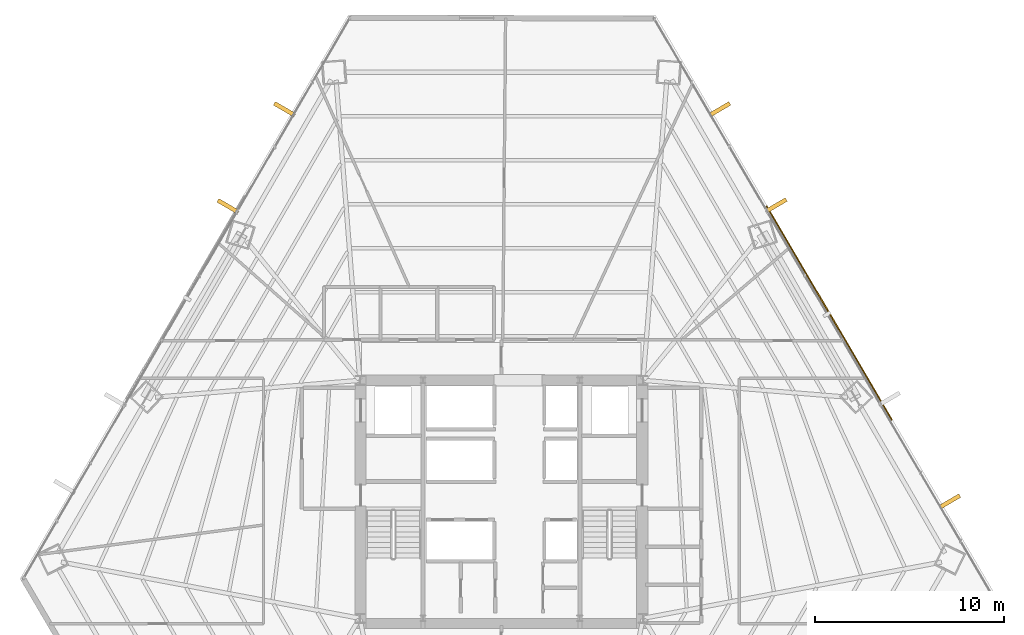
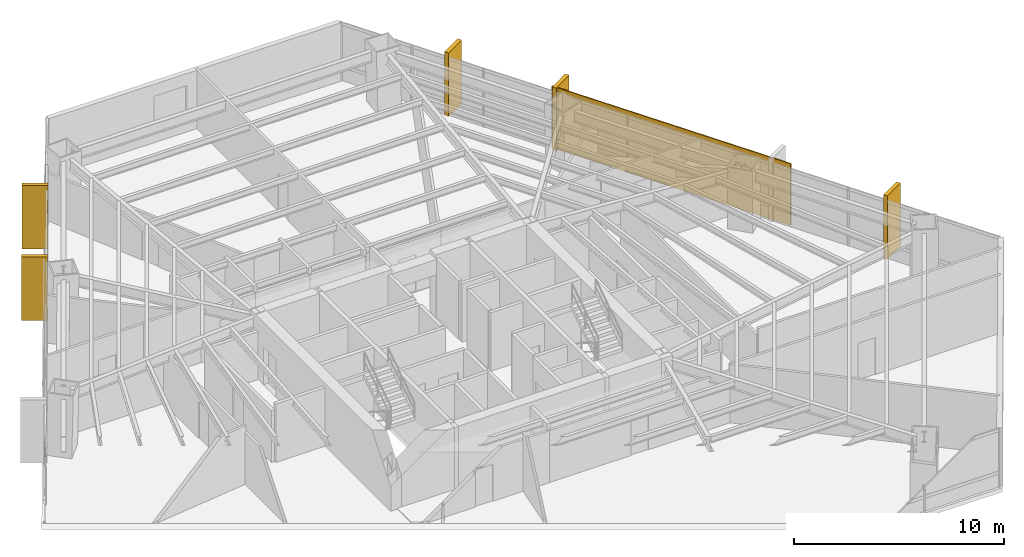
# One storey, part 37 of 37: 5 coverings, 1 shading device.
"""IFC4 building model written with IfcOpenShell, lengths in metres."""

import ifcopenshell
import ifcopenshell.guid

model = None  # the IFC model being written
_history = None  # IfcOwnerHistory: only IFC2X3 demands one
_inside = {}  # id of a spatial element -> (the spatial element, [elements in it])
_under = {}  # id of a project, library or spatial element -> (it, [spatial elements below it])
_declared = {}  # id of a project -> (the project, [libraries it declares])
_typed = {}  # id of a type object -> (the type object, [elements of that type])
_made_of = {}  # id of a material, layer set ... -> (it, [elements and type objects made of it])


def new_model(schema):
    """Start an empty IFC model of exactly this schema.

    Asked for "IFC4X3", IfcOpenShell would pick the latest addendum, in which some entities
    have other attributes; the version numbers below select the first issue.
    IFC2X3 requires an IfcOwnerHistory on every rooted entity: one is made here for all.
    """
    global model, _history
    if schema == "IFC4X3":
        model = ifcopenshell.file(schema_version=(4, 3, 0, 0))
    else:
        model = ifcopenshell.file(schema=schema)
    _inside.clear()
    _under.clear()
    _declared.clear()
    _typed.clear()
    _made_of.clear()
    _history = None
    if model.schema == "IFC2X3":
        org = make("IfcOrganization", Name="unknown")
        user = make(
            "IfcPersonAndOrganization",
            ThePerson=make("IfcPerson", FamilyName="unknown"),
            TheOrganization=org,
        )
        app = make(
            "IfcApplication",
            ApplicationDeveloper=org,
            Version="unknown",
            ApplicationFullName="unknown",
            ApplicationIdentifier="unknown",
        )
        _history = make(
            "IfcOwnerHistory",
            OwningUser=user,
            OwningApplication=app,
            ChangeAction="ADDED",
            CreationDate=0,
        )
    return model


def make(cls, **values):
    """One entity of the class cls with the attributes given. An attribute that is None is left unset."""
    return model.create_entity(
        cls, **{name: value for name, value in values.items() if value is not None}
    )


def rooted(cls, **values):
    """An entity with a GlobalId (a new one), such as an element, a storey or a relation."""
    return make(cls, GlobalId=ifcopenshell.guid.new(), OwnerHistory=_history, **values)


def si_unit(unit_type, name, prefix=None):
    """IfcSIUnit, for example si_unit("LENGTHUNIT", "METRE", prefix="MILLI")."""
    return make("IfcSIUnit", UnitType=unit_type, Prefix=prefix, Name=name)


def assignment(units):
    """IfcUnitAssignment: the units of a project."""
    return None if units is None else make("IfcUnitAssignment", Units=units)


def point(xyz):
    """IfcCartesianPoint."""
    return None if xyz is None else make("IfcCartesianPoint", Coordinates=xyz)


def direction(xyz):
    """IfcDirection."""
    return None if xyz is None else make("IfcDirection", DirectionRatios=xyz)


def frame(location, z_axis=None, x_axis=None):
    """IfcAxis2Placement3D, a coordinate frame: its origin and axes. An axis left out is left unset."""
    return make(
        "IfcAxis2Placement3D",
        Location=point(location),
        Axis=direction(z_axis),
        RefDirection=direction(x_axis),
    )


def frame_2d(location, x_axis=None):
    """IfcAxis2Placement2D, a coordinate frame in the plane: its origin and x axis."""
    return make(
        "IfcAxis2Placement2D", Location=point(location), RefDirection=direction(x_axis)
    )


def origin():
    """The frame at (0, 0, 0) with its axes left unset."""
    return frame((0.0, 0.0, 0.0))


def origin_2d():
    """The frame at (0, 0) in the plane with its x axis left unset."""
    return frame_2d((0.0, 0.0))


def place(relative_to, where):
    """IfcLocalPlacement: puts the frame where relative to a parent placement (None: the world)."""
    return make(
        "IfcLocalPlacement", PlacementRelTo=relative_to, RelativePlacement=where
    )


def context(
    kind, dimensions, precision=None, world=None, true_north=None, identifier=None
):
    """IfcGeometricRepresentationContext, for example the 3D "Model" context."""
    return make(
        "IfcGeometricRepresentationContext",
        ContextIdentifier=identifier,
        ContextType=kind,
        CoordinateSpaceDimension=dimensions,
        Precision=precision,
        WorldCoordinateSystem=world,
        TrueNorth=true_north,
    )


def subcontext(parent, identifier, kind, view, scale=None):
    """IfcGeometricRepresentationSubContext, for example "Body" below "Model"."""
    return make(
        "IfcGeometricRepresentationSubContext",
        ContextIdentifier=identifier,
        ContextType=kind,
        ParentContext=parent,
        TargetScale=scale,
        TargetView=view,
    )


def project(units=None, contexts=None):
    """IfcProject with its units and contexts."""
    return rooted(
        "IfcProject",
        Name="project",
        RepresentationContexts=contexts,
        UnitsInContext=assignment(units),
    )


def spatial(cls, under=None, at=None, **own):
    """A site, building, storey or space (cls), placed at a placement, below another one or the project."""
    s = rooted(cls, ObjectPlacement=at, **own)
    if under is not None:
        _under.setdefault(under.id(), (under, []))[1].append(s)
    return s


def profile(cls, at=None, kind="AREA", **sizes):
    """A parametric profile (cls). Its sizes go by their IFC names, for example OverallWidth=200.0."""
    return make(cls, ProfileType=kind, Position=at, **sizes)


def rectangle(**sizes):
    """IfcRectangleProfileDef."""
    return profile("IfcRectangleProfileDef", **sizes)


def extrude(swept, where, along, depth):
    """IfcExtrudedAreaSolid: the profile swept, set in the frame where, extruded along a direction by depth."""
    return make(
        "IfcExtrudedAreaSolid",
        SweptArea=swept,
        Position=where,
        ExtrudedDirection=direction(along),
        Depth=depth,
    )


def shape(context_of_items, identifier, shape_type, items):
    """IfcShapeRepresentation: the items that make up one representation, for example the "Body"."""
    return make(
        "IfcShapeRepresentation",
        ContextOfItems=context_of_items,
        RepresentationIdentifier=identifier,
        RepresentationType=shape_type,
        Items=items,
    )


def source(mapping_origin, context_of_items, identifier, shape_type, items):
    """IfcRepresentationMap: a shape defined once, which mapped items show again and again."""
    return make(
        "IfcRepresentationMap",
        MappingOrigin=mapping_origin,
        MappedRepresentation=shape(context_of_items, identifier, shape_type, items),
    )


def transform(
    local_origin,
    x_axis=None,
    y_axis=None,
    z_axis=None,
    scale=None,
    scale2=None,
    scale3=None,
    uniform=True,
):
    """IfcCartesianTransformationOperator3D, or its non-uniform kind. x_axis, y_axis, z_axis: its Axis1, 2, 3."""
    if uniform:
        return make(
            "IfcCartesianTransformationOperator3D",
            Axis1=direction(x_axis),
            Axis2=direction(y_axis),
            LocalOrigin=point(local_origin),
            Scale=scale,
            Axis3=direction(z_axis),
        )
    return make(
        "IfcCartesianTransformationOperator3DnonUniform",
        Axis1=direction(x_axis),
        Axis2=direction(y_axis),
        LocalOrigin=point(local_origin),
        Scale=scale,
        Axis3=direction(z_axis),
        Scale2=scale2,
        Scale3=scale3,
    )


def mapped(mapping_source, mapping_target):
    """IfcMappedItem: shows the shape of a source again, moved by a transform."""
    return make(
        "IfcMappedItem", MappingSource=mapping_source, MappingTarget=mapping_target
    )


def material(Name=None, Category=None):
    """IfcMaterial."""
    return make("IfcMaterial", Name=Name, Category=Category)


def layer(
    of_material, thickness, ventilated=None, Name=None, Category=None, Priority=None
):
    """IfcMaterialLayer: one layer of a wall or slab, of a material (None: an air gap)."""
    return make(
        "IfcMaterialLayer",
        Material=of_material,
        LayerThickness=thickness,
        IsVentilated=ventilated,
        Name=Name,
        Category=Category,
        Priority=Priority,
    )


def layer_set(layers, Name=None):
    """IfcMaterialLayerSet."""
    return make("IfcMaterialLayerSet", MaterialLayers=layers, LayerSetName=Name)


def made_of(thing, what):
    """Note that an element or type object is made of a material, layer set ...; save() writes the relation."""
    if what is not None:
        _made_of.setdefault(what.id(), (what, []))[1].append(thing)
    return thing


def type_object(cls, material=None, **own):
    """A type object (cls), such as IfcWallType, which elements share."""
    return made_of(rooted(cls, **own), material)


def type_shapes(of_type, sources):
    """Give a type object the sources (RepresentationMaps) that its elements show as mapped items."""
    of_type.RepresentationMaps = sources


def element(
    cls,
    number,
    at=None,
    inside=None,
    cuts=None,
    type_object=None,
    material=None,
    context=None,
    identifier="Body",
    shape_type=None,
    held_by="IfcProductDefinitionShape",
    body=None,
    shapes=None,
    **own,
):
    """One element of the class cls, such as IfcWall. Its Tag is "e" and its number.

    at: its placement. inside: the storey or other place that contains it. cuts: it is an
    opening in that element (IfcRelVoidsElement). A single representation is given by context,
    identifier, shape_type and body (its items); several are given by shapes. held_by: the class
    of the entity that holds the representations. save() writes the other relations.
    """
    e = rooted(cls, Tag="e%d" % number, ObjectPlacement=at, **own)
    if body is not None:
        shapes = [shape(context, identifier, shape_type, body)]
    if shapes is not None:
        e.Representation = make(held_by, Representations=shapes)
    if inside is not None:
        _inside.setdefault(inside.id(), (inside, []))[1].append(e)
    if cuts is not None:
        rooted(
            "IfcRelVoidsElement", RelatingBuildingElement=cuts, RelatedOpeningElement=e
        )
    if type_object is not None:
        _typed.setdefault(type_object.id(), (type_object, []))[1].append(e)
    return made_of(e, material)


def aggregate(whole, parts):
    """IfcRelAggregates: a whole, such as a stair, and the parts it consists of."""
    return rooted("IfcRelAggregates", RelatingObject=whole, RelatedObjects=parts)


def save(model, path):
    """Write the relations noted so far, then the file.

    IfcRelAggregates (storeys below a building ...), IfcRelContainedInSpatialStructure (elements
    in a storey), IfcRelDefinesByType, IfcRelAssociatesMaterial and IfcRelDeclares: one each for
    every whole, place, type object, material and project.
    """
    for whole, parts in _under.values():
        aggregate(whole, parts)
    for where, things in _inside.values():
        rooted(
            "IfcRelContainedInSpatialStructure",
            RelatedElements=things,
            RelatingStructure=where,
        )
    for kind, things in _typed.values():
        rooted("IfcRelDefinesByType", RelatedObjects=things, RelatingType=kind)
    for what, things in _made_of.values():
        rooted("IfcRelAssociatesMaterial", RelatedObjects=things, RelatingMaterial=what)
    for by, libraries in _declared.values():
        rooted("IfcRelDeclares", RelatingContext=by, RelatedDefinitions=libraries)
    model.write(path)


model = new_model("IFC4")

# Units and contexts
model_context = context("Model", 3, precision=1e-05, world=origin(), true_north=direction((0.0, 1.0)))
body_context = subcontext(model_context, "Body", "Model", "MODEL_VIEW")
ifc_project = project(units=[si_unit("LENGTHUNIT", "METRE"), si_unit("AREAUNIT", "SQUARE_METRE"), si_unit("VOLUMEUNIT", "CUBIC_METRE"), si_unit("PLANEANGLEUNIT", "RADIAN"), si_unit("MASSUNIT", "GRAM", prefix="KILO")], contexts=[model_context])

# Site, building, storey
site_placement = place(None, origin())
site = spatial("IfcSite", under=ifc_project, at=site_placement, CompositionType="ELEMENT")
building_placement = place(site_placement, origin())
building = spatial("IfcBuilding", under=site, at=building_placement, Name="Caelisora Broadcast Tower", CompositionType="ELEMENT")
storey_placement = place(building_placement, frame((0.0, 0.0, 45.85009765625)))
storey = spatial("IfcBuildingStorey", under=building, at=storey_placement, Name="L11", CompositionType="ELEMENT", Elevation=45.85009765625)

# Coverings
ifc_material_1 = material(Name="Kiln-Fired Terracotta Spandrel Rainscreen Cladding", Category="ceramic")
ifc_layer_1 = layer(ifc_material_1, 0.044921875, Name="Kiln-Fired Terracotta Spandrel Rainscreen Cladding")
ifc_layer_set_1 = layer_set([ifc_layer_1], Name="Kiln-Fired Terracotta Spandrel Rainscreen Cladding")
covering_type = type_object("IfcCoveringType", Name="CL-1", PredefinedType="CLADDING", material=ifc_layer_set_1)
shared_shape_1 = source(origin(), body_context, "Body", "SweptSolid", [
    extrude(rectangle(XDim=0.219970703125, YDim=1.25, at=origin_2d()), origin(), (0.0, 0.0, 1.0), 3.68994140625),
])
type_shapes(covering_type, [shared_shape_1])
for number, where, z_axis, x_axis, name in (
    (1, (49.556396484375, 44.3515625, -0.02001953125), (0.0, 0.0, 1.0), (0.505732659231, -0.862690255763, 0.0), "L11 vertical solar fin cladding #1-1"),
    (2, (52.5419921875, 39.2587890625, -0.02001953125), (0.0, 0.0, 1.0), (0.505732659231, -0.862690255763, 0.0), "L11 vertical solar fin cladding #1-2"),
    (3, (61.731689453125, 23.58251953125, -0.02001953125), (0.0, 0.0, 1.0), (0.505732659231, -0.862690255763, 0.0), "L11 vertical solar fin cladding #1-4"),
    (4, (23.52294921875, 39.216552734375, -0.02001953125), (0.0, 0.0, 1.0), (0.503321604797, 0.864099162217, 0.0), "L11 vertical solar fin cladding #3-3"),
    (5, (26.514404296875, 44.352783203125, -0.02001953125), (0.0, 0.0, 1.0), (0.503321604797, 0.864099162217, 0.0), "L11 vertical solar fin cladding #3-4"),
):
    element("IfcCovering", number, at=place(storey_placement, frame(where, z_axis=z_axis, x_axis=x_axis)), inside=storey, type_object=covering_type, Name=name, PredefinedType="CLADDING", context=body_context, shape_type="MappedRepresentation", body=[
        mapped(shared_shape_1, transform((0.0, 0.0, 0.0), scale=1.0)),
    ])

# Shading device
ifc_material_2 = material(Name="Perforated Glazed Terracotta Baguette Solar Screen", Category="ceramic")
ifc_layer_2 = layer(ifc_material_2, 0.06494140625, Name="Perforated Glazed Terracotta Baguette Solar Screen")
ifc_layer_set_2 = layer_set([ifc_layer_2], Name="Perforated Glazed Terracotta Baguette Solar Screen")
shading_device_type = type_object("IfcShadingDeviceType", Name="SS-1", PredefinedType="USERDEFINED", material=ifc_layer_set_2)
shared_shape_2 = source(origin(), body_context, "Body", "SweptSolid", [
    extrude(rectangle(XDim=13.1240234375, YDim=0.06494140625, at=origin_2d()), origin(), (0.0, 0.0, 1.0), 3.590087890625),
])
type_shapes(shading_device_type, [shared_shape_2])
shading_device_placement = place(storey_placement, frame((55.357421875, 33.56640625, 0.0), z_axis=(0.0, 0.0, 1.0), x_axis=(-0.505732659231, 0.862690255763, 0.0)))
element("IfcShadingDevice", 6, at=shading_device_placement, inside=storey, type_object=shading_device_type, Name="L11 perforated terracotta solar screen #3", ObjectType="SOLAR SCREEN", PredefinedType="USERDEFINED", context=body_context, shape_type="MappedRepresentation", body=[
    mapped(shared_shape_2, transform((0.0, 0.0, 0.0), scale=1.0)),
])

save(model, "model.ifc")
